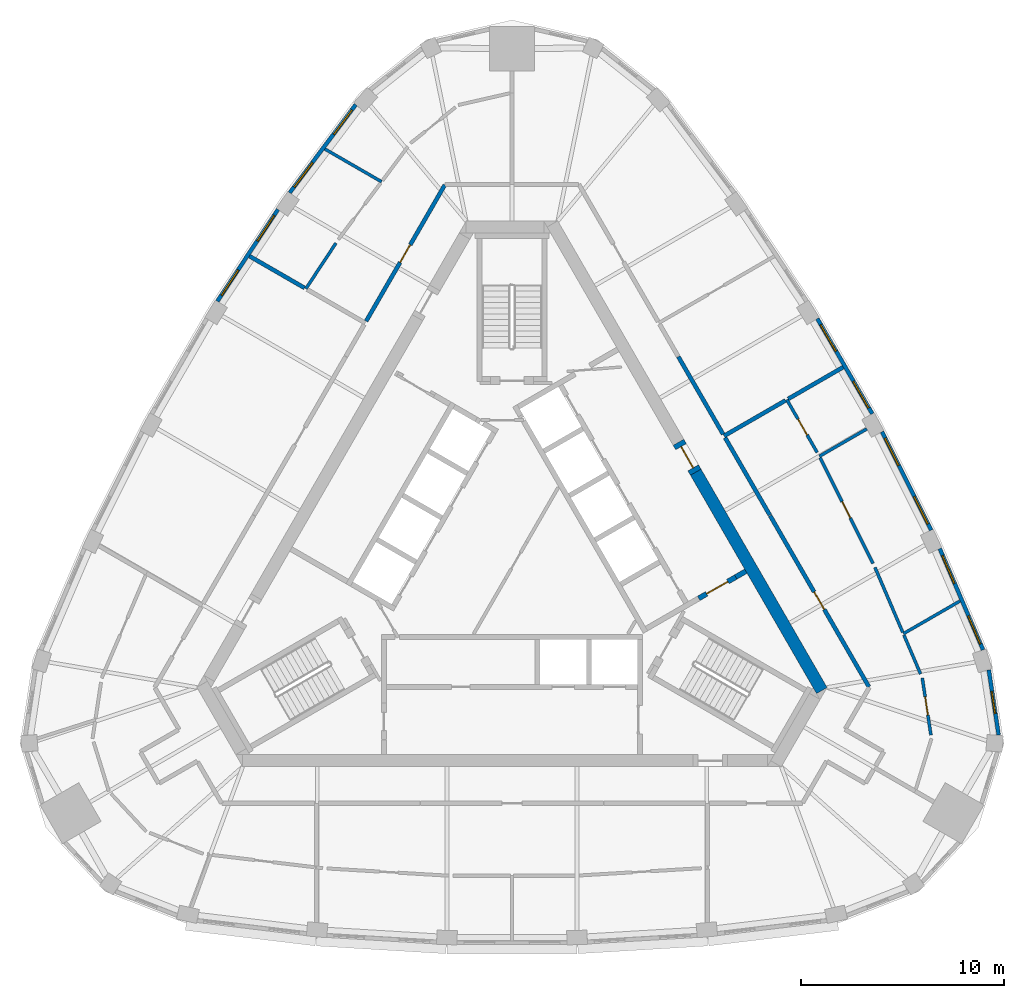
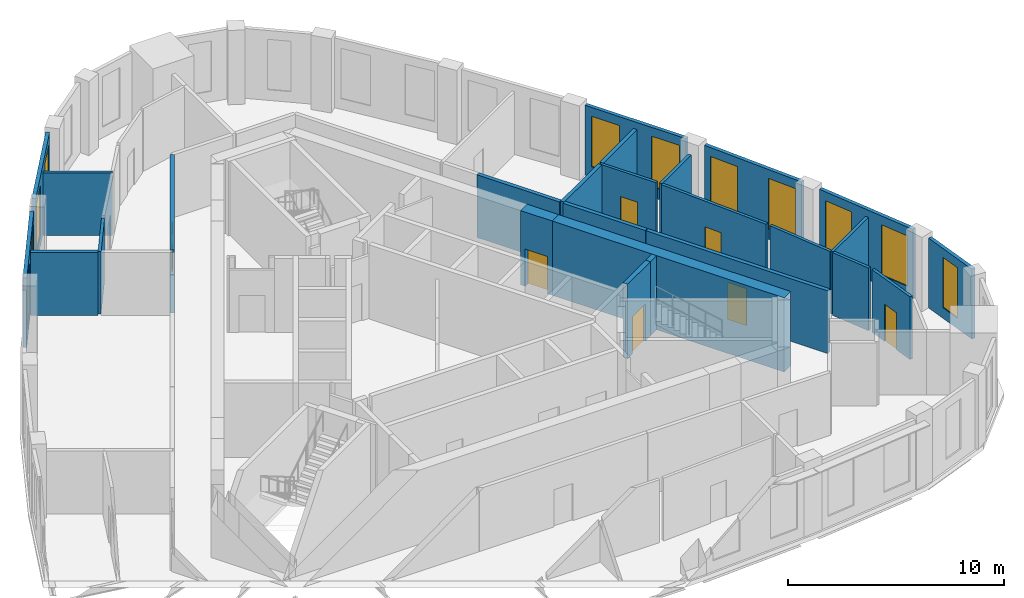
# One storey, part 7 of 10: 26 walls, 11 windows, 7 doors, 18 openings.
"""IFC4 building model written with IfcOpenShell, lengths in metres."""

from ifc_helpers import new_model, si_unit, direction, frame, frame_2d, origin, place, context, subcontext, project, spatial, rectangle, extrude, material, layer, layer_set, type_object, element, fill, save


model = new_model("IFC4")

# Units and contexts
model_context = context("Model", 3, precision=1e-05, world=origin(), true_north=direction((0.0, 1.0)))
body_context = subcontext(model_context, "Body", "Model", "MODEL_VIEW")
ifc_project = project(units=[si_unit("LENGTHUNIT", "METRE"), si_unit("AREAUNIT", "SQUARE_METRE"), si_unit("VOLUMEUNIT", "CUBIC_METRE"), si_unit("PLANEANGLEUNIT", "RADIAN"), si_unit("MASSUNIT", "GRAM", prefix="KILO")], contexts=[model_context])

# Site, building, storey
site_placement = place(None, origin())
site = spatial("IfcSite", under=ifc_project, at=site_placement, CompositionType="ELEMENT")
building_placement = place(site_placement, origin())
building = spatial("IfcBuilding", under=site, at=building_placement, Name="Mestral Congress Tower", CompositionType="ELEMENT")
storey_placement = place(building_placement, frame((0.0, 0.0, 309.0)))
storey = spatial("IfcBuildingStorey", under=building, at=storey_placement, Name="L72", CompositionType="ELEMENT", Elevation=309.0)

# Wall
ifc_material_1 = material(Name="Concrete C60/75", Category="concrete")
ifc_layer_1 = layer(ifc_material_1, 0.60009765625)
ifc_layer_set_1 = layer_set([ifc_layer_1], Name="Concrete C60/75")
wall_type_1 = type_object("IfcWallType", Name="Core wall RC 600", PredefinedType="SOLIDWALL", material=ifc_layer_set_1)
wall_1_placement = place(storey_placement, frame((9.0419921875, 4.23876953125, 0.0), z_axis=(0.0, 0.0, 1.0), x_axis=(0.500005785455, -0.866022063525, 0.0)))
element("IfcWall", 1, at=wall_1_placement, inside=storey, type_object=wall_type_1, Name="L72 core wall", PredefinedType="SOLIDWALL", context=body_context, shape_type="SweptSolid", body=[
    extrude(rectangle(XDim=12.406494140625, YDim=0.60009765625, at=frame_2d((6.203125, 0.0))), origin(), (0.0, 0.0, 1.0), 4.199951171875),
])

# Wall, opening, door
wall_2_placement = place(storey_placement, frame((8.19189453125, 5.711181640625, 0.0), z_axis=(0.0, 0.0, 1.0), x_axis=(0.500062241894, -0.865989465428, 0.0)))
wall_2 = element("IfcWall", 2, at=wall_2_placement, inside=storey, type_object=wall_type_1, Name="L72 door wall", PredefinedType="SOLIDWALL", context=body_context, shape_type="SweptSolid", body=[
    extrude(rectangle(XDim=1.699951171875, YDim=0.60009765625, at=frame_2d((0.85009765625, 0.0))), origin(), (0.0, 0.0, 1.0), 4.199951171875),
])
opening_1_placement = place(wall_2_placement, frame((0.25, 0.0, 0.0)))
opening_1 = element("IfcOpeningElement", 3, at=opening_1_placement, cuts=wall_2, Name="Opening XDL", PredefinedType="OPENING", context=body_context, shape_type="SweptSolid", body=[
    extrude(rectangle(XDim=1.199951171875, YDim=2.10009765625, at=frame_2d((0.60009765625, 1.050048828125))), frame((0.0, 0.31005859375, 0.0), z_axis=(0.0, -1.0, 0.0), x_axis=(1.0, 0.0, 0.0)), (0.0, 0.0, 1.0), 0.6201171875),
])
ifc_material_2 = material(Name="Fire-rated steel door set", Category="steel")
door_type_1 = type_object("IfcDoorType", Name="Core door XD 1200x2100", OperationType="SINGLE_SWING_LEFT", PredefinedType="DOOR", material=ifc_material_2)
door_1_placement = place(opening_1_placement, origin())
door_1 = element("IfcDoor", 4, at=door_1_placement, inside=storey, type_object=door_type_1, Name="Door XDL", OperationType="SINGLE_SWING_LEFT", OverallHeight=2.10009765625, OverallWidth=1.199951171875, PredefinedType="DOOR", context=body_context, shape_type="SweptSolid", body=[
    extrude(rectangle(XDim=1.199951171875, YDim=2.10009765625, at=frame_2d((0.60009765625, 1.050048828125))), frame((0.0, 0.02490234375, 0.0), z_axis=(0.0, -1.0, 0.0), x_axis=(1.0, 0.0, 0.0)), (0.0, 0.0, 1.0), 0.050048828125),
])
fill(opening_1, door_1)

# Wall, opening, window
ifc_material_3 = material(Name="Precast concrete C40/50 with limestone facing", Category="masonry")
ifc_layer_2 = layer(ifc_material_3, 0.18994140625)
ifc_layer_set_2 = layer_set([ifc_layer_2], Name="Precast concrete C40/50 with limestone facing")
wall_type_2 = type_object("IfcWallType", Name="Facade stone wall 190", PredefinedType="SOLIDWALL", material=ifc_layer_set_2)
wall_3_placement = place(storey_placement, frame((23.94384765625, -8.6884765625, 0.0), z_axis=(0.0, 0.0, 1.0), x_axis=(-0.149421055602, 0.988773658702, 0.0)))
wall_3 = element("IfcWall", 5, at=wall_3_placement, inside=storey, type_object=wall_type_2, Name="Facade wall K0-3", PredefinedType="SOLIDWALL", context=body_context, shape_type="SweptSolid", body=[
    extrude(rectangle(XDim=3.23681640625, YDim=0.18994140625, at=frame_2d((1.618408203125, 0.0))), origin(), (0.0, 0.0, 1.0), 3.949951171875),
])
opening_2_placement = place(wall_3_placement, frame((1.068359375, 0.0, 0.60009765625)))
opening_2 = element("IfcOpeningElement", 6, at=opening_2_placement, cuts=wall_3, Name="Opening W7", PredefinedType="OPENING", context=body_context, shape_type="SweptSolid", body=[
    extrude(rectangle(XDim=1.10009765625, YDim=2.85009765625, at=frame_2d((0.550048828125, 1.425048828125))), frame((0.0, 0.10498046875, 0.0), z_axis=(0.0, -1.0, 0.0), x_axis=(1.0, 0.0, 0.0)), (0.0, 0.0, 1.0), 0.2099609375),
])
ifc_material_4 = material(Name="Clear low-emissivity double glazing", Category="glass")
window_type_1 = type_object("IfcWindowType", Name="Facade punched window 1100 x 2850 sill 600", PartitioningType="SINGLE_PANEL", PredefinedType="WINDOW", material=ifc_material_4)
window_1_placement = place(opening_2_placement, origin())
window_1 = element("IfcWindow", 7, at=window_1_placement, inside=storey, type_object=window_type_1, Name="Window K0-3", OverallHeight=2.85009765625, OverallWidth=1.10009765625, PartitioningType="SINGLE_PANEL", PredefinedType="WINDOW", context=body_context, shape_type="SweptSolid", body=[
    extrude(rectangle(XDim=1.10009765625, YDim=2.85009765625, at=frame_2d((0.550048828125, 1.425048828125))), frame((0.0, 0.044921875, 0.0), z_axis=(0.0, -1.0, 0.0), x_axis=(1.0, 0.0, 0.0)), (0.0, 0.0, 1.0), 0.06005859375),
])
fill(opening_2, window_1)

# Wall, openings, windows
wall_4_placement = place(storey_placement, frame((23.1787109375, -4.50048828125, 0.0), z_axis=(0.0, 0.0, 1.0), x_axis=(-0.393347848476, 0.919389726992, 0.0)))
wall_4 = element("IfcWall", 8, at=wall_4_placement, inside=storey, type_object=wall_type_2, Name="Facade wall F1-00", PredefinedType="SOLIDWALL", context=body_context, shape_type="SweptSolid", body=[
    extrude(rectangle(XDim=5.414794921875, YDim=0.18994140625, at=frame_2d((2.70751953125, 0.0))), origin(), (0.0, 0.0, 1.0), 3.949951171875),
])
opening_3_placement = place(wall_4_placement, frame((0.322509765625, 0.0, 0.60009765625)))
opening_3 = element("IfcOpeningElement", 9, at=opening_3_placement, cuts=wall_4, Name="Opening W6", PredefinedType="OPENING", context=body_context, shape_type="SweptSolid", body=[
    extrude(rectangle(XDim=1.5, YDim=2.85009765625, at=frame_2d((0.75, 1.425048828125))), frame((0.0, 0.10498046875, 0.0), z_axis=(0.0, -1.0, 0.0), x_axis=(1.0, 0.0, 0.0)), (0.0, 0.0, 1.0), 0.2099609375),
])
opening_4_placement = place(wall_4_placement, frame((3.5576171875, 0.0, 0.60009765625)))
opening_4 = element("IfcOpeningElement", 10, at=opening_4_placement, cuts=wall_4, Name="Opening W6", PredefinedType="OPENING", context=body_context, shape_type="SweptSolid", body=[
    extrude(rectangle(XDim=1.5, YDim=2.85009765625, at=frame_2d((0.75, 1.425048828125))), frame((0.0, 0.10498046875, 0.0), z_axis=(0.0, -1.0, 0.0), x_axis=(1.0, 0.0, 0.0)), (0.0, 0.0, 1.0), 0.2099609375),
])
window_type_2 = type_object("IfcWindowType", Name="Facade punched window 1500 x 2850 sill 600", PartitioningType="SINGLE_PANEL", PredefinedType="WINDOW", material=ifc_material_4)
window_2_placement = place(opening_3_placement, origin())
window_2 = element("IfcWindow", 11, at=window_2_placement, inside=storey, type_object=window_type_2, Name="Window F1-00a", OverallHeight=2.85009765625, OverallWidth=1.5, PartitioningType="SINGLE_PANEL", PredefinedType="WINDOW", context=body_context, shape_type="SweptSolid", body=[
    extrude(rectangle(XDim=1.5, YDim=2.85009765625, at=frame_2d((0.75, 1.425048828125))), frame((0.0, 0.044921875, 0.0), z_axis=(0.0, -1.0, 0.0), x_axis=(1.0, 0.0, 0.0)), (0.0, 0.0, 1.0), 0.06005859375),
])
fill(opening_3, window_2)
window_3_placement = place(opening_4_placement, origin())
window_3 = element("IfcWindow", 12, at=window_3_placement, inside=storey, type_object=window_type_2, Name="Window F1-00b", OverallHeight=2.85009765625, OverallWidth=1.5, PartitioningType="SINGLE_PANEL", PredefinedType="WINDOW", context=body_context, shape_type="SweptSolid", body=[
    extrude(rectangle(XDim=1.5, YDim=2.85009765625, at=frame_2d((0.75, 1.425048828125))), frame((0.0, 0.044921875, 0.0), z_axis=(0.0, -1.0, 0.0), x_axis=(1.0, 0.0, 0.0)), (0.0, 0.0, 1.0), 0.06005859375),
])
fill(opening_4, window_3)

wall_5_placement = place(storey_placement, frame((20.625, 1.39208984375, 0.0), z_axis=(0.0, 0.0, 1.0), x_axis=(-0.447484531401, 0.894291671747, 0.0)))
wall_5 = element("IfcWall", 13, at=wall_5_placement, inside=storey, type_object=wall_type_2, Name="Facade wall F1-01", PredefinedType="SOLIDWALL", context=body_context, shape_type="SweptSolid", body=[
    extrude(rectangle(XDim=5.40625, YDim=0.18994140625, at=frame_2d((2.703125, 0.0))), origin(), (0.0, 0.0, 1.0), 3.949951171875),
])
opening_5_placement = place(wall_5_placement, frame((0.346435546875, 0.0, 0.60009765625)))
opening_5 = element("IfcOpeningElement", 14, at=opening_5_placement, cuts=wall_5, Name="Opening W6", PredefinedType="OPENING", context=body_context, shape_type="SweptSolid", body=[
    extrude(rectangle(XDim=1.5, YDim=2.85009765625, at=frame_2d((0.75, 1.425048828125))), frame((0.0, 0.10498046875, 0.0), z_axis=(0.0, -1.0, 0.0), x_axis=(1.0, 0.0, 0.0)), (0.0, 0.0, 1.0), 0.2099609375),
])
opening_6_placement = place(wall_5_placement, frame((3.559326171875, 0.0, 0.60009765625)))
opening_6 = element("IfcOpeningElement", 15, at=opening_6_placement, cuts=wall_5, Name="Opening W6", PredefinedType="OPENING", context=body_context, shape_type="SweptSolid", body=[
    extrude(rectangle(XDim=1.5, YDim=2.85009765625, at=frame_2d((0.75, 1.425048828125))), frame((0.0, 0.10498046875, 0.0), z_axis=(0.0, -1.0, 0.0), x_axis=(1.0, 0.0, 0.0)), (0.0, 0.0, 1.0), 0.2099609375),
])
window_4_placement = place(opening_5_placement, origin())
window_4 = element("IfcWindow", 16, at=window_4_placement, inside=storey, type_object=window_type_2, Name="Window F1-01a", OverallHeight=2.85009765625, OverallWidth=1.5, PartitioningType="SINGLE_PANEL", PredefinedType="WINDOW", context=body_context, shape_type="SweptSolid", body=[
    extrude(rectangle(XDim=1.5, YDim=2.85009765625, at=frame_2d((0.75, 1.425048828125))), frame((0.0, 0.044921875, 0.0), z_axis=(0.0, -1.0, 0.0), x_axis=(1.0, 0.0, 0.0)), (0.0, 0.0, 1.0), 0.06005859375),
])
fill(opening_5, window_4)
window_5_placement = place(opening_6_placement, origin())
window_5 = element("IfcWindow", 17, at=window_5_placement, inside=storey, type_object=window_type_2, Name="Window F1-01b", OverallHeight=2.85009765625, OverallWidth=1.5, PartitioningType="SINGLE_PANEL", PredefinedType="WINDOW", context=body_context, shape_type="SweptSolid", body=[
    extrude(rectangle(XDim=1.5, YDim=2.85009765625, at=frame_2d((0.75, 1.425048828125))), frame((0.0, 0.044921875, 0.0), z_axis=(0.0, -1.0, 0.0), x_axis=(1.0, 0.0, 0.0)), (0.0, 0.0, 1.0), 0.06005859375),
])
fill(opening_6, window_5)

wall_6_placement = place(storey_placement, frame((17.728271484375, 7.1142578125, 0.0), z_axis=(0.0, 0.0, 1.0), x_axis=(-0.500024767483, 0.866011103799, 0.0)))
wall_6 = element("IfcWall", 18, at=wall_6_placement, inside=storey, type_object=wall_type_2, Name="Facade wall F1-02", PredefinedType="SOLIDWALL", context=body_context, shape_type="SweptSolid", body=[
    extrude(rectangle(XDim=5.406005859375, YDim=0.18994140625, at=frame_2d((2.703125, 0.0))), origin(), (0.0, 0.0, 1.0), 3.949951171875),
])
opening_7_placement = place(wall_6_placement, frame((0.346435546875, 0.0, 0.60009765625)))
opening_7 = element("IfcOpeningElement", 19, at=opening_7_placement, cuts=wall_6, Name="Opening W6", PredefinedType="OPENING", context=body_context, shape_type="SweptSolid", body=[
    extrude(rectangle(XDim=1.5, YDim=2.85009765625, at=frame_2d((0.75, 1.425048828125))), frame((0.0, 0.10498046875, 0.0), z_axis=(0.0, -1.0, 0.0), x_axis=(1.0, 0.0, 0.0)), (0.0, 0.0, 1.0), 0.2099609375),
])
opening_8_placement = place(wall_6_placement, frame((3.5595703125, 0.0, 0.60009765625)))
opening_8 = element("IfcOpeningElement", 20, at=opening_8_placement, cuts=wall_6, Name="Opening W6", PredefinedType="OPENING", context=body_context, shape_type="SweptSolid", body=[
    extrude(rectangle(XDim=1.5, YDim=2.85009765625, at=frame_2d((0.75, 1.425048828125))), frame((0.0, 0.10498046875, 0.0), z_axis=(0.0, -1.0, 0.0), x_axis=(1.0, 0.0, 0.0)), (0.0, 0.0, 1.0), 0.2099609375),
])
window_6_placement = place(opening_7_placement, origin())
window_6 = element("IfcWindow", 21, at=window_6_placement, inside=storey, type_object=window_type_2, Name="Window F1-02a", OverallHeight=2.85009765625, OverallWidth=1.5, PartitioningType="SINGLE_PANEL", PredefinedType="WINDOW", context=body_context, shape_type="SweptSolid", body=[
    extrude(rectangle(XDim=1.5, YDim=2.85009765625, at=frame_2d((0.75, 1.425048828125))), frame((0.0, 0.044921875, 0.0), z_axis=(0.0, -1.0, 0.0), x_axis=(1.0, 0.0, 0.0)), (0.0, 0.0, 1.0), 0.06005859375),
])
fill(opening_7, window_6)
window_7_placement = place(opening_8_placement, origin())
window_7 = element("IfcWindow", 22, at=window_7_placement, inside=storey, type_object=window_type_2, Name="Window F1-02b", OverallHeight=2.85009765625, OverallWidth=1.5, PartitioningType="SINGLE_PANEL", PredefinedType="WINDOW", context=body_context, shape_type="SweptSolid", body=[
    extrude(rectangle(XDim=1.5, YDim=2.85009765625, at=frame_2d((0.75, 1.425048828125))), frame((0.0, 0.044921875, 0.0), z_axis=(0.0, -1.0, 0.0), x_axis=(1.0, 0.0, 0.0)), (0.0, 0.0, 1.0), 0.06005859375),
])
fill(opening_8, window_7)

wall_7_placement = place(storey_placement, frame((-7.691650390625, 22.32373046875, 0.0), z_axis=(0.0, 0.0, 1.0), x_axis=(-0.599559865294, -0.800329911929, 0.0)))
wall_7 = element("IfcWall", 23, at=wall_7_placement, inside=storey, type_object=wall_type_2, Name="Facade wall F2-00", PredefinedType="SOLIDWALL", context=body_context, shape_type="SweptSolid", body=[
    extrude(rectangle(XDim=5.4150390625, YDim=0.18994140625, at=frame_2d((2.70751953125, 0.0))), origin(), (0.0, 0.0, 1.0), 3.949951171875),
])
opening_9_placement = place(wall_7_placement, frame((0.322509765625, 0.0, 0.60009765625)))
opening_9 = element("IfcOpeningElement", 24, at=opening_9_placement, cuts=wall_7, Name="Opening W6", PredefinedType="OPENING", context=body_context, shape_type="SweptSolid", body=[
    extrude(rectangle(XDim=1.5, YDim=2.85009765625, at=frame_2d((0.75, 1.425048828125))), frame((0.0, 0.10498046875, 0.0), z_axis=(0.0, -1.0, 0.0), x_axis=(1.0, 0.0, 0.0)), (0.0, 0.0, 1.0), 0.2099609375),
])
opening_10_placement = place(wall_7_placement, frame((3.5576171875, 0.0, 0.60009765625)))
opening_10 = element("IfcOpeningElement", 25, at=opening_10_placement, cuts=wall_7, Name="Opening W6", PredefinedType="OPENING", context=body_context, shape_type="SweptSolid", body=[
    extrude(rectangle(XDim=1.5, YDim=2.85009765625, at=frame_2d((0.75, 1.425048828125))), frame((0.0, 0.10498046875, 0.0), z_axis=(0.0, -1.0, 0.0), x_axis=(1.0, 0.0, 0.0)), (0.0, 0.0, 1.0), 0.2099609375),
])
window_8_placement = place(opening_9_placement, origin())
window_8 = element("IfcWindow", 26, at=window_8_placement, inside=storey, type_object=window_type_2, Name="Window F2-00a", OverallHeight=2.85009765625, OverallWidth=1.5, PartitioningType="SINGLE_PANEL", PredefinedType="WINDOW", context=body_context, shape_type="SweptSolid", body=[
    extrude(rectangle(XDim=1.5, YDim=2.85009765625, at=frame_2d((0.75, 1.425048828125))), frame((0.0, 0.044921875, 0.0), z_axis=(0.0, -1.0, 0.0), x_axis=(1.0, 0.0, 0.0)), (0.0, 0.0, 1.0), 0.06005859375),
])
fill(opening_9, window_8)
window_9_placement = place(opening_10_placement, origin())
window_9 = element("IfcWindow", 27, at=window_9_placement, inside=storey, type_object=window_type_2, Name="Window F2-00b", OverallHeight=2.85009765625, OverallWidth=1.5, PartitioningType="SINGLE_PANEL", PredefinedType="WINDOW", context=body_context, shape_type="SweptSolid", body=[
    extrude(rectangle(XDim=1.5, YDim=2.85009765625, at=frame_2d((0.75, 1.425048828125))), frame((0.0, 0.044921875, 0.0), z_axis=(0.0, -1.0, 0.0), x_axis=(1.0, 0.0, 0.0)), (0.0, 0.0, 1.0), 0.06005859375),
])
fill(opening_10, window_9)

wall_8_placement = place(storey_placement, frame((-11.518310546875, 17.16552734375, 0.0), z_axis=(0.0, 0.0, 1.0), x_axis=(-0.550744054781, -0.83467417962, 0.0)))
wall_8 = element("IfcWall", 28, at=wall_8_placement, inside=storey, type_object=wall_type_2, Name="Facade wall F2-01", PredefinedType="SOLIDWALL", context=body_context, shape_type="SweptSolid", body=[
    extrude(rectangle(XDim=5.406005859375, YDim=0.18994140625, at=frame_2d((2.703125, 0.0))), origin(), (0.0, 0.0, 1.0), 3.949951171875),
])
opening_11_placement = place(wall_8_placement, frame((0.346435546875, 0.0, 0.60009765625)))
opening_11 = element("IfcOpeningElement", 29, at=opening_11_placement, cuts=wall_8, Name="Opening W6", PredefinedType="OPENING", context=body_context, shape_type="SweptSolid", body=[
    extrude(rectangle(XDim=1.5, YDim=2.85009765625, at=frame_2d((0.75, 1.425048828125))), frame((0.0, 0.10498046875, 0.0), z_axis=(0.0, -1.0, 0.0), x_axis=(1.0, 0.0, 0.0)), (0.0, 0.0, 1.0), 0.2099609375),
])
opening_12_placement = place(wall_8_placement, frame((3.559326171875, 0.0, 0.60009765625)))
opening_12 = element("IfcOpeningElement", 30, at=opening_12_placement, cuts=wall_8, Name="Opening W6", PredefinedType="OPENING", context=body_context, shape_type="SweptSolid", body=[
    extrude(rectangle(XDim=1.5, YDim=2.85009765625, at=frame_2d((0.75, 1.425048828125))), frame((0.0, 0.10498046875, 0.0), z_axis=(0.0, -1.0, 0.0), x_axis=(1.0, 0.0, 0.0)), (0.0, 0.0, 1.0), 0.2099609375),
])
window_10_placement = place(opening_11_placement, origin())
window_10 = element("IfcWindow", 31, at=window_10_placement, inside=storey, type_object=window_type_2, Name="Window F2-01a", OverallHeight=2.85009765625, OverallWidth=1.5, PartitioningType="SINGLE_PANEL", PredefinedType="WINDOW", context=body_context, shape_type="SweptSolid", body=[
    extrude(rectangle(XDim=1.5, YDim=2.85009765625, at=frame_2d((0.75, 1.425048828125))), frame((0.0, 0.044921875, 0.0), z_axis=(0.0, -1.0, 0.0), x_axis=(1.0, 0.0, 0.0)), (0.0, 0.0, 1.0), 0.06005859375),
])
fill(opening_11, window_10)
window_11_placement = place(opening_12_placement, origin())
window_11 = element("IfcWindow", 32, at=window_11_placement, inside=storey, type_object=window_type_2, Name="Window F2-01b", OverallHeight=2.85009765625, OverallWidth=1.5, PartitioningType="SINGLE_PANEL", PredefinedType="WINDOW", context=body_context, shape_type="SweptSolid", body=[
    extrude(rectangle(XDim=1.5, YDim=2.85009765625, at=frame_2d((0.75, 1.425048828125))), frame((0.0, 0.044921875, 0.0), z_axis=(0.0, -1.0, 0.0), x_axis=(1.0, 0.0, 0.0)), (0.0, 0.0, 1.0), 0.06005859375),
])
fill(opening_12, window_11)

# Wall
ifc_material_5 = material(Name="Plasterboard partition on steel studs", Category="steel")
ifc_layer_3 = layer(ifc_material_5, 0.14990234375)
ifc_layer_set_3 = layer_set([ifc_layer_3], Name="Plasterboard partition on steel studs")
wall_type_3 = type_object("IfcWallType", Name="Office partition 150", PredefinedType="PARTITIONING", material=ifc_layer_set_3)
wall_9_placement = place(storey_placement, frame((19.255859375, -3.708251953125, 0.0), z_axis=(0.0, 0.0, 1.0), x_axis=(0.866053139749, 0.499951956822, 0.0)))
element("IfcWall", 33, at=wall_9_placement, inside=storey, type_object=wall_type_3, Name="Partition", PredefinedType="PARTITIONING", context=body_context, shape_type="SweptSolid", body=[
    extrude(rectangle(XDim=3.222900390625, YDim=0.14990234375, at=frame_2d((1.611328125, 0.0))), origin(), (0.0, 0.0, 1.0), 3.550048828125),
])

# Wall, opening, door
wall_10_placement = place(storey_placement, frame((20.188232421875, -5.8876953125, 0.0), z_axis=(0.0, 0.0, 1.0), x_axis=(0.149382709391, -0.988779452727, 0.0)))
wall_10 = element("IfcWall", 34, at=wall_10_placement, inside=storey, type_object=wall_type_3, Name="Partition", PredefinedType="PARTITIONING", context=body_context, shape_type="SweptSolid", body=[
    extrude(rectangle(XDim=2.840576171875, YDim=0.14990234375, at=frame_2d((1.42041015625, 0.0))), origin(), (0.0, 0.0, 1.0), 3.550048828125),
])
opening_13_placement = place(wall_10_placement, frame((0.940673828125, 0.0, 0.0)))
opening_13 = element("IfcOpeningElement", 35, at=opening_13_placement, cuts=wall_10, Name="Opening O14-005", PredefinedType="OPENING", context=body_context, shape_type="SweptSolid", body=[
    extrude(rectangle(XDim=0.89990234375, YDim=2.10009765625, at=frame_2d((0.449951171875, 1.050048828125))), frame((0.0, 0.0849609375, 0.0), z_axis=(0.0, -1.0, 0.0), x_axis=(1.0, 0.0, 0.0)), (0.0, 0.0, 1.0), 0.169921875),
])
ifc_material_6 = material(Name="Timber door set", Category="wood")
door_type_2 = type_object("IfcDoorType", Name="Office door 900x2100", OperationType="SINGLE_SWING_LEFT", PredefinedType="DOOR", material=ifc_material_6)
door_2_placement = place(opening_13_placement, origin())
door_2 = element("IfcDoor", 36, at=door_2_placement, inside=storey, type_object=door_type_2, Name="Door O14-005", OperationType="SINGLE_SWING_LEFT", OverallHeight=2.10009765625, OverallWidth=0.89990234375, PredefinedType="DOOR", context=body_context, shape_type="SweptSolid", body=[
    extrude(rectangle(XDim=0.89990234375, YDim=2.10009765625, at=frame_2d((0.449951171875, 1.050048828125))), frame((0.0, 0.02490234375, 0.0), z_axis=(0.0, -1.0, 0.0), x_axis=(1.0, 0.0, 0.0)), (0.0, 0.0, 1.0), 0.050048828125),
])
fill(opening_13, door_2)

# Walls
wall_11_placement = place(storey_placement, frame((20.10400390625, -5.6904296875, 0.0), z_axis=(0.0, 0.0, 1.0), x_axis=(-0.393381007091, 0.919375539842, 0.0)))
element("IfcWall", 37, at=wall_11_placement, inside=storey, type_object=wall_type_3, Name="Partition", PredefinedType="PARTITIONING", context=body_context, shape_type="SweptSolid", body=[
    extrude(rectangle(XDim=2.080322265625, YDim=0.14990234375, at=frame_2d((1.0400390625, 0.0))), origin(), (0.0, 0.0, 1.0), 3.550048828125),
])
wall_12_placement = place(storey_placement, frame((15.124267578125, 5.02197265625, 0.0), z_axis=(0.0, 0.0, 1.0), x_axis=(0.866010629317, 0.500025589255, 0.0)))
element("IfcWall", 38, at=wall_12_placement, inside=storey, type_object=wall_type_3, Name="Partition", PredefinedType="PARTITIONING", context=body_context, shape_type="SweptSolid", body=[
    extrude(rectangle(XDim=2.695556640625, YDim=0.14990234375, at=frame_2d((1.34765625, 0.0))), origin(), (0.0, 0.0, 1.0), 3.550048828125),
])
wall_13_placement = place(storey_placement, frame((19.226318359375, -3.638916015625, 0.0), z_axis=(0.0, 0.0, 1.0), x_axis=(-0.393350933662, 0.919388407033, 0.0)))
element("IfcWall", 39, at=wall_13_placement, inside=storey, type_object=wall_type_3, Name="Partition", PredefinedType="PARTITIONING", context=body_context, shape_type="SweptSolid", body=[
    extrude(rectangle(XDim=3.473876953125, YDim=0.14990234375, at=frame_2d((1.73681640625, 0.0))), origin(), (0.0, 0.0, 1.0), 3.550048828125),
])

# Wall, opening, door
wall_14_placement = place(storey_placement, frame((15.157958984375, 4.954833984375, 0.0), z_axis=(0.0, 0.0, 1.0), x_axis=(0.447465104013, -0.894301392535, 0.0)))
wall_14 = element("IfcWall", 40, at=wall_14_placement, inside=storey, type_object=wall_type_3, Name="Partition", PredefinedType="PARTITIONING", context=body_context, shape_type="SweptSolid", body=[
    extrude(rectangle(XDim=5.82373046875, YDim=0.14990234375, at=frame_2d((2.911865234375, 0.0))), origin(), (0.0, 0.0, 1.0), 3.550048828125),
])
opening_14_placement = place(wall_14_placement, frame((2.423828125, 0.0, 0.0)))
opening_14 = element("IfcOpeningElement", 41, at=opening_14_placement, cuts=wall_14, Name="Opening O14-006", PredefinedType="OPENING", context=body_context, shape_type="SweptSolid", body=[
    extrude(rectangle(XDim=0.89990234375, YDim=2.10009765625, at=frame_2d((0.449951171875, 1.050048828125))), frame((0.0, 0.0849609375, 0.0), z_axis=(0.0, -1.0, 0.0), x_axis=(1.0, 0.0, 0.0)), (0.0, 0.0, 1.0), 0.169921875),
])
door_3_placement = place(opening_14_placement, origin())
door_3 = element("IfcDoor", 42, at=door_3_placement, inside=storey, type_object=door_type_2, Name="Door O14-006", OperationType="SINGLE_SWING_LEFT", OverallHeight=2.10009765625, OverallWidth=0.89990234375, PredefinedType="DOOR", context=body_context, shape_type="SweptSolid", body=[
    extrude(rectangle(XDim=0.89990234375, YDim=2.10009765625, at=frame_2d((0.449951171875, 1.050048828125))), frame((0.0, 0.02490234375, 0.0), z_axis=(0.0, -1.0, 0.0), x_axis=(1.0, 0.0, 0.0)), (0.0, 0.0, 1.0), 0.050048828125),
])
fill(opening_14, door_3)

wall_15_placement = place(storey_placement, frame((13.523193359375, 7.8076171875, 0.0), z_axis=(0.0, 0.0, 1.0), x_axis=(0.498338040698, -0.866982812513, 0.0)))
wall_15 = element("IfcWall", 43, at=wall_15_placement, inside=storey, type_object=wall_type_3, Name="Partition", PredefinedType="PARTITIONING", context=body_context, shape_type="SweptSolid", body=[
    extrude(rectangle(XDim=2.998779296875, YDim=0.14990234375, at=frame_2d((1.49951171875, 0.0))), origin(), (0.0, 0.0, 1.0), 3.550048828125),
])
opening_15_placement = place(wall_15_placement, frame((1.0986328125, 0.0, 0.0)))
opening_15 = element("IfcOpeningElement", 44, at=opening_15_placement, cuts=wall_15, Name="Opening O14-007", PredefinedType="OPENING", context=body_context, shape_type="SweptSolid", body=[
    extrude(rectangle(XDim=0.89990234375, YDim=2.10009765625, at=frame_2d((0.449951171875, 1.050048828125))), frame((0.0, 0.0849609375, 0.0), z_axis=(0.0, -1.0, 0.0), x_axis=(1.0, 0.0, 0.0)), (0.0, 0.0, 1.0), 0.169921875),
])
door_4_placement = place(opening_15_placement, origin())
door_4 = element("IfcDoor", 45, at=door_4_placement, inside=storey, type_object=door_type_2, Name="Door O14-007", OperationType="SINGLE_SWING_RIGHT", OverallHeight=2.10009765625, OverallWidth=0.89990234375, PredefinedType="DOOR", context=body_context, shape_type="SweptSolid", body=[
    extrude(rectangle(XDim=0.89990234375, YDim=2.10009765625, at=frame_2d((0.449951171875, 1.050048828125))), frame((0.0, 0.02490234375, 0.0), z_axis=(0.0, -1.0, 0.0), x_axis=(1.0, 0.0, 0.0)), (0.0, 0.0, 1.0), 0.050048828125),
])
fill(opening_15, door_4)

# Walls
wall_16_placement = place(storey_placement, frame((-6.41650390625, 18.5302734375, 0.0), z_axis=(0.0, 0.0, 1.0), x_axis=(-0.866034203951, 0.499984757355, 0.0)))
element("IfcWall", 46, at=wall_16_placement, inside=storey, type_object=wall_type_3, Name="Partition", PredefinedType="PARTITIONING", context=body_context, shape_type="SweptSolid", body=[
    extrude(rectangle(XDim=3.22265625, YDim=0.14990234375, at=frame_2d((1.611328125, 0.0))), origin(), (0.0, 0.0, 1.0), 3.550048828125),
])
wall_17_placement = place(storey_placement, frame((-8.662353515625, 15.5107421875, 0.0), z_axis=(0.0, 0.0, 1.0), x_axis=(-0.550792824442, -0.834641997831, 0.0)))
element("IfcWall", 47, at=wall_17_placement, inside=storey, type_object=wall_type_3, Name="Partition", PredefinedType="PARTITIONING", context=body_context, shape_type="SweptSolid", body=[
    extrude(rectangle(XDim=2.68603515625, YDim=0.14990234375, at=frame_2d((1.343017578125, 0.0))), origin(), (0.0, 0.0, 1.0), 3.550048828125),
])
ifc_material_7 = material(Name="Dense masonry wall, plastered", Category="masonry")
ifc_layer_4 = layer(ifc_material_7, 0.199951171875)
ifc_layer_set_4 = layer_set([ifc_layer_4], Name="Dense masonry wall, plastered")
wall_type_4 = type_object("IfcWallType", Name="Office tenancy wall 200", PredefinedType="PARTITIONING", material=ifc_layer_set_4)
wall_18_placement = place(storey_placement, frame((13.588134765625, 7.84521484375, 0.0), z_axis=(0.0, 0.0, 1.0), x_axis=(0.866022959057, 0.500004234368, 0.0)))
element("IfcWall", 48, at=wall_18_placement, inside=storey, type_object=wall_type_4, Name="Tenancy wall", PredefinedType="PARTITIONING", context=body_context, shape_type="SweptSolid", body=[
    extrude(rectangle(XDim=3.125, YDim=0.199951171875, at=frame_2d((1.5625, 0.0))), origin(), (0.0, 0.0, 1.0), 3.550048828125),
])
wall_19_placement = place(storey_placement, frame((10.435546875, 6.02490234375, 0.0), z_axis=(0.0, 0.0, 1.0), x_axis=(0.866030664334, 0.49999088835, 0.0)))
element("IfcWall", 49, at=wall_19_placement, inside=storey, type_object=wall_type_4, Name="Tenancy wall", PredefinedType="PARTITIONING", context=body_context, shape_type="SweptSolid", body=[
    extrude(rectangle(XDim=3.490234375, YDim=0.199951171875, at=frame_2d((1.7451171875, 0.0))), origin(), (0.0, 0.0, 1.0), 3.550048828125),
])
wall_20_placement = place(storey_placement, frame((12.685546875, 2.1279296875, 0.0), z_axis=(0.0, 0.0, 1.0), x_axis=(-0.499988222896, 0.866032203192, 0.0)))
element("IfcWall", 50, at=wall_20_placement, inside=storey, type_object=wall_type_4, Name="Tenancy wall", PredefinedType="PARTITIONING", context=body_context, shape_type="SweptSolid", body=[
    extrude(rectangle(XDim=4.39990234375, YDim=0.199951171875, at=frame_2d((2.199951171875, 0.0))), origin(), (0.0, 0.0, 1.0), 3.550048828125),
])

# Wall, opening, door
wall_21_placement = place(storey_placement, frame((17.565185546875, -6.323974609375, 0.0), z_axis=(0.0, 0.0, 1.0), x_axis=(-0.499990354792, 0.866030972376, 0.0)))
wall_21 = element("IfcWall", 51, at=wall_21_placement, inside=storey, type_object=wall_type_4, Name="Tenancy wall", PredefinedType="PARTITIONING", context=body_context, shape_type="SweptSolid", body=[
    extrude(rectangle(XDim=9.729248046875, YDim=0.199951171875, at=frame_2d((4.86474609375, 0.0))), origin(), (0.0, 0.0, 1.0), 3.550048828125),
])
opening_16_placement = place(wall_21_placement, frame((4.39990234375, 0.0, 0.0)))
opening_16 = element("IfcOpeningElement", 52, at=opening_16_placement, cuts=wall_21, Name="Opening O14-008", PredefinedType="OPENING", context=body_context, shape_type="SweptSolid", body=[
    extrude(rectangle(XDim=1.0, YDim=2.10009765625, at=frame_2d((0.5, 1.050048828125))), frame((0.0, 0.10986328125, 0.0), z_axis=(0.0, -1.0, 0.0), x_axis=(1.0, 0.0, 0.0)), (0.0, 0.0, 1.0), 0.219970703125),
])
ifc_material_8 = material(Name="Fire-rated timber door set", Category="wood")
door_type_3 = type_object("IfcDoorType", Name="Office tenancy entrance door 1000x2100", OperationType="SINGLE_SWING_LEFT", PredefinedType="DOOR", material=ifc_material_8)
door_5_placement = place(opening_16_placement, origin())
door_5 = element("IfcDoor", 53, at=door_5_placement, inside=storey, type_object=door_type_3, Name="Door O14-008", OperationType="SINGLE_SWING_RIGHT", OverallHeight=2.10009765625, OverallWidth=1.0, PredefinedType="DOOR", context=body_context, shape_type="SweptSolid", body=[
    extrude(rectangle(XDim=1.0, YDim=2.10009765625, at=frame_2d((0.5, 1.050048828125))), frame((0.0, 0.02490234375, 0.0), z_axis=(0.0, -1.0, 0.0), x_axis=(1.0, 0.0, 0.0)), (0.0, 0.0, 1.0), 0.050048828125),
])
fill(opening_16, door_5)

# Walls
wall_22_placement = place(storey_placement, frame((10.385498046875, 6.111572265625, 0.0), z_axis=(0.0, 0.0, 1.0), x_axis=(-0.499988222896, 0.866032203192, 0.0)))
element("IfcWall", 54, at=wall_22_placement, inside=storey, type_object=wall_type_4, Name="Tenancy wall", PredefinedType="PARTITIONING", context=body_context, shape_type="SweptSolid", body=[
    extrude(rectangle(XDim=4.39990234375, YDim=0.199951171875, at=frame_2d((2.199951171875, 0.0))), origin(), (0.0, 0.0, 1.0), 3.550048828125),
])
wall_23_placement = place(storey_placement, frame((-10.206787109375, 13.306396484375, 0.0), z_axis=(0.0, 0.0, 1.0), x_axis=(-0.866041434906, 0.499972232254, 0.0)))
element("IfcWall", 55, at=wall_23_placement, inside=storey, type_object=wall_type_4, Name="Tenancy wall", PredefinedType="PARTITIONING", context=body_context, shape_type="SweptSolid", body=[
    extrude(rectangle(XDim=3.130615234375, YDim=0.199951171875, at=frame_2d((1.5654296875, 0.0))), origin(), (0.0, 0.0, 1.0), 3.550048828125),
])

# Wall, opening, door
wall_24_placement = place(storey_placement, frame((-3.305908203125, 18.3740234375, 0.0), z_axis=(0.0, 0.0, 1.0), x_axis=(-0.500000072396, -0.866025361987, 0.0)))
wall_24 = element("IfcWall", 56, at=wall_24_placement, inside=storey, type_object=wall_type_4, Name="Tenancy wall", PredefinedType="PARTITIONING", context=body_context, shape_type="SweptSolid", body=[
    extrude(rectangle(XDim=7.7392578125, YDim=0.199951171875, at=frame_2d((3.86962890625, 0.0))), origin(), (0.0, 0.0, 1.0), 3.550048828125),
])
opening_17_placement = place(wall_24_placement, frame((3.39990234375, 0.0, 0.0)))
opening_17 = element("IfcOpeningElement", 57, at=opening_17_placement, cuts=wall_24, Name="Opening O14-013", PredefinedType="OPENING", context=body_context, shape_type="SweptSolid", body=[
    extrude(rectangle(XDim=1.0, YDim=2.10009765625, at=frame_2d((0.5, 1.050048828125))), frame((0.0, 0.10986328125, 0.0), z_axis=(0.0, -1.0, 0.0), x_axis=(1.0, 0.0, 0.0)), (0.0, 0.0, 1.0), 0.219970703125),
])
door_6_placement = place(opening_17_placement, origin())
door_6 = element("IfcDoor", 58, at=door_6_placement, inside=storey, type_object=door_type_3, Name="Door O14-013", OperationType="SINGLE_SWING_RIGHT", OverallHeight=2.10009765625, OverallWidth=1.0, PredefinedType="DOOR", context=body_context, shape_type="SweptSolid", body=[
    extrude(rectangle(XDim=1.0, YDim=2.10009765625, at=frame_2d((0.5, 1.050048828125))), frame((0.0, 0.02490234375, 0.0), z_axis=(0.0, -1.0, 0.0), x_axis=(1.0, 0.0, 0.0)), (0.0, 0.0, 1.0), 0.050048828125),
])
fill(opening_17, door_6)

# Wall
ifc_layer_5 = layer(ifc_material_1, 0.25)
ifc_layer_set_5 = layer_set([ifc_layer_5], Name="Concrete C60/75")
wall_type_5 = type_object("IfcWallType", Name="Shaft wall RC 250", PredefinedType="SOLIDWALL", material=ifc_layer_set_5)
wall_25_placement = place(storey_placement, frame((11.507080078125, -0.631103515625, 0.0), z_axis=(0.0, 0.0, 1.0), x_axis=(-0.866093731455, -0.499881634324, 0.0)))
element("IfcWall", 59, at=wall_25_placement, inside=storey, type_object=wall_type_5, Name="L72 core wall", PredefinedType="SOLIDWALL", context=body_context, shape_type="SweptSolid", body=[
    extrude(rectangle(XDim=0.575439453125, YDim=0.25, at=frame_2d((0.28759765625, 0.0))), origin(), (0.0, 0.0, 1.0), 4.199951171875),
])

# Wall, opening, door
wall_26_placement = place(storey_placement, frame((11.0087890625, -0.918701171875, 0.0), z_axis=(0.0, 0.0, 1.0), x_axis=(-0.866059744384, -0.49994051562, 0.0)))
wall_26 = element("IfcWall", 60, at=wall_26_placement, inside=storey, type_object=wall_type_5, Name="L72 door wall", PredefinedType="SOLIDWALL", context=body_context, shape_type="SweptSolid", body=[
    extrude(rectangle(XDim=2.099853515625, YDim=0.25, at=frame_2d((1.0498046875, 0.0))), origin(), (0.0, 0.0, 1.0), 4.199951171875),
])
opening_18_placement = place(wall_26_placement, frame((0.449951171875, 0.0, 0.0)))
opening_18 = element("IfcOpeningElement", 61, at=opening_18_placement, cuts=wall_26, Name="Opening LB1-PX10", PredefinedType="OPENING", context=body_context, shape_type="SweptSolid", body=[
    extrude(rectangle(XDim=1.199951171875, YDim=2.10009765625, at=frame_2d((0.60009765625, 1.050048828125))), frame((0.0, 0.135009765625, 0.0), z_axis=(0.0, -1.0, 0.0), x_axis=(1.0, 0.0, 0.0)), (0.0, 0.0, 1.0), 0.27001953125),
])
door_type_4 = type_object("IfcDoorType", Name="Core door LB 1200x2100", OperationType="SINGLE_SWING_LEFT", PredefinedType="DOOR", material=ifc_material_2)
door_7_placement = place(opening_18_placement, origin())
door_7 = element("IfcDoor", 62, at=door_7_placement, inside=storey, type_object=door_type_4, Name="Door LB1-PX10", OperationType="SINGLE_SWING_LEFT", OverallHeight=2.10009765625, OverallWidth=1.199951171875, PredefinedType="DOOR", context=body_context, shape_type="SweptSolid", body=[
    extrude(rectangle(XDim=1.199951171875, YDim=2.10009765625, at=frame_2d((0.60009765625, 1.050048828125))), frame((0.0, 0.02490234375, 0.0), z_axis=(0.0, -1.0, 0.0), x_axis=(1.0, 0.0, 0.0)), (0.0, 0.0, 1.0), 0.050048828125),
])
fill(opening_18, door_7)

save(model, "model.ifc")
